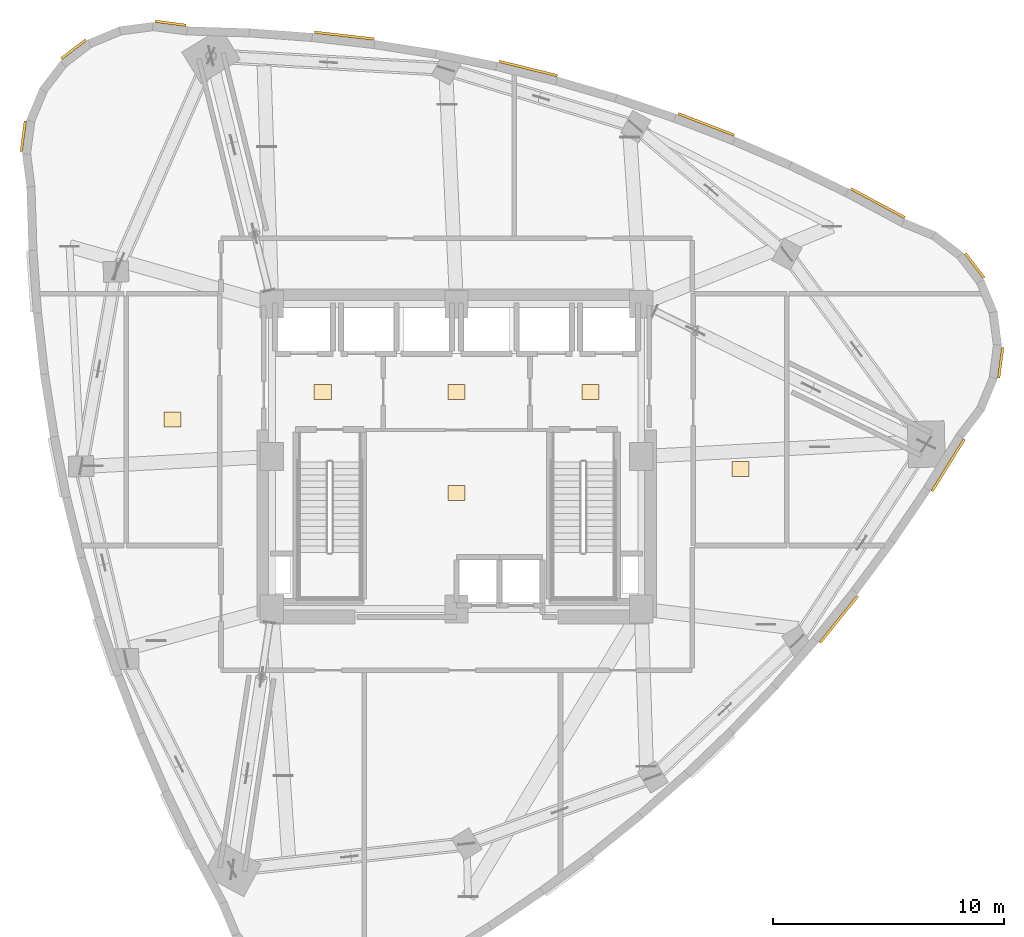
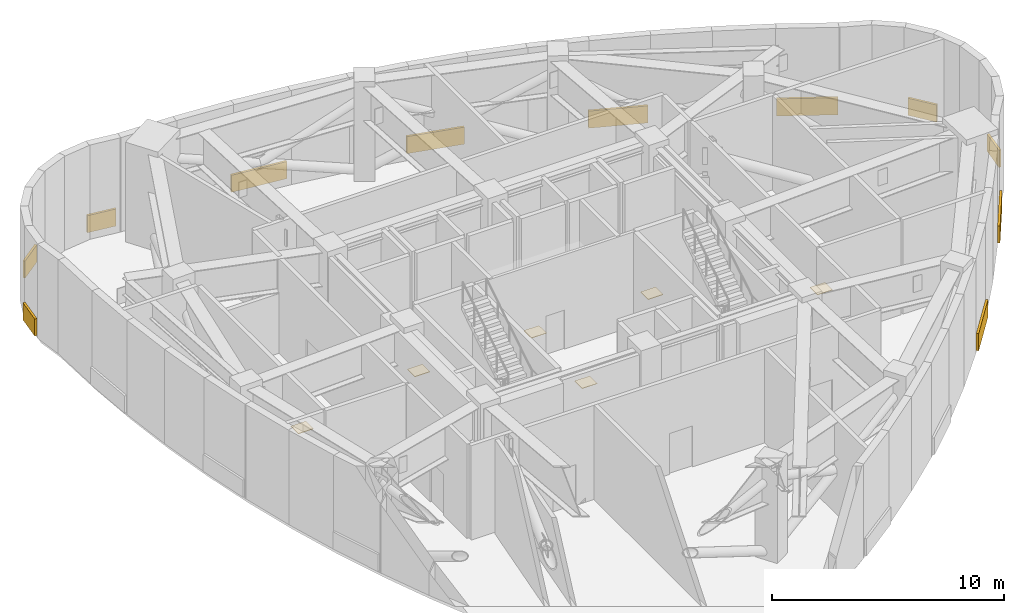
# One storey, part 12 of 12: 17 coverings.
"""IFC4 building model written with IfcOpenShell, lengths in metres."""

from ifc_helpers import new_model, si_unit, direction, frame, origin, origin_2d, place, context, subcontext, project, spatial, rectangle, extrude, material, layer, layer_set, type_object, element, save


model = new_model("IFC4")

# Units and contexts
model_context = context("Model", 3, precision=1e-05, world=origin(), true_north=direction((0.0, 1.0)))
body_context = subcontext(model_context, "Body", "Model", "MODEL_VIEW")
ifc_project = project(units=[si_unit("LENGTHUNIT", "METRE"), si_unit("AREAUNIT", "SQUARE_METRE"), si_unit("VOLUMEUNIT", "CUBIC_METRE"), si_unit("PLANEANGLEUNIT", "RADIAN"), si_unit("MASSUNIT", "GRAM", prefix="KILO")], contexts=[model_context])

# Site, building, storey
site_placement = place(None, origin())
site = spatial("IfcSite", under=ifc_project, at=site_placement, CompositionType="ELEMENT")
building_placement = place(site_placement, origin())
building = spatial("IfcBuilding", under=site, at=building_placement, Name="Ndelora Gate Hotel", CompositionType="ELEMENT")
storey_placement = place(building_placement, frame((0.0, 0.0, 168.5)))
storey = spatial("IfcBuildingStorey", under=building, at=storey_placement, Name="L42", CompositionType="ELEMENT", Elevation=168.5)

# Coverings
ifc_material_1 = material(Name="Terracotta Fired Clay Brick Slip Cladding", Category="masonry")
ifc_layer_1 = layer(ifc_material_1, 0.110107421875)
ifc_layer_set_1 = layer_set([ifc_layer_1], Name="Terracotta Fired Clay Brick Slip Cladding")
covering_type_1 = type_object("IfcCoveringType", Name="COV-CLAD-BRK", PredefinedType="CLADDING", material=ifc_layer_set_1)
for number, where, z_axis, x_axis, name in (
    (1, (-12.3818359375, 18.761962890625, 0.10009765625), (0.0, 0.0, 1.0), (-0.991444861374, 0.13052619222, 0.0), "L42 Rounded-Corner Brick Cladding Band 1"),
    (2, (-16.585693359375, 17.635498046875, 0.10009765625), (0.0, 0.0, 1.0), (0.793353340291, 0.608761429009, 0.0), "L42 Rounded-Corner Brick Cladding Band 4"),
    (3, (-18.761962890625, 13.866455078125, 0.10009765625), (0.0, 0.0, 1.0), (0.13052619222, 0.991444861374, 0.0), "L42 Rounded-Corner Brick Cladding Band 7"),
):
    element("IfcCovering", number, at=place(storey_placement, frame(where, z_axis=z_axis, x_axis=x_axis)), inside=storey, type_object=covering_type_1, Name=name, PredefinedType="CLADDING", context=body_context, shape_type="SweptSolid", body=[
        extrude(rectangle(XDim=1.3359375, YDim=0.110107421875, at=origin_2d()), origin(), (0.0, 0.0, 1.0), 0.89990234375),
    ])
covering_1_placement = place(storey_placement, frame((16.556396484375, -7.0498046875, 0.10009765625), z_axis=(0.0, 0.0, 1.0), x_axis=(0.628370458711, 0.777914241173, 0.0)))
element("IfcCovering", 4, at=covering_1_placement, inside=storey, type_object=covering_type_1, Name="L42 Rounded-Corner Brick Cladding Band 37", PredefinedType="CLADDING", context=body_context, shape_type="SweptSolid", body=[
    extrude(rectangle(XDim=2.593994140625, YDim=0.110107421875, at=origin_2d()), origin(), (0.0, 0.0, 1.0), 0.89990234375),
])
covering_2_placement = place(storey_placement, frame((21.289794921875, -0.377197265625, 0.10009765625), z_axis=(0.0, 0.0, 1.0), x_axis=(0.527549004064, 0.849524601357, 0.0)))
element("IfcCovering", 5, at=covering_2_placement, inside=storey, type_object=covering_type_1, Name="L42 Rounded-Corner Brick Cladding Band 40", PredefinedType="CLADDING", context=body_context, shape_type="SweptSolid", body=[
    extrude(rectangle(XDim=2.65087890625, YDim=0.110107421875, at=origin_2d()), origin(), (0.0, 0.0, 1.0), 0.89990234375),
])
for number, where, z_axis, x_axis, name in (
    (6, (23.565673828125, 4.0615234375, 0.10009765625), (0.0, 0.0, 1.0), (0.13052619222, 0.991444861374, 0.0), "L42 Rounded-Corner Brick Cladding Band 43"),
    (7, (22.439208984375, 8.265380859375, 0.10009765625), (0.0, 0.0, 1.0), (-0.608761429009, 0.793353340291, 0.0), "L42 Rounded-Corner Brick Cladding Band 46"),
):
    element("IfcCovering", number, at=place(storey_placement, frame(where, z_axis=z_axis, x_axis=x_axis)), inside=storey, type_object=covering_type_1, Name=name, PredefinedType="CLADDING", context=body_context, shape_type="SweptSolid", body=[
        extrude(rectangle(XDim=1.3359375, YDim=0.110107421875, at=origin_2d()), origin(), (0.0, 0.0, 1.0), 0.89990234375),
    ])
covering_3_placement = place(storey_placement, frame((18.248779296875, 10.971435546875, 0.10009765625), z_axis=(0.0, 0.0, 1.0), x_axis=(-0.881633139939, 0.471935383883, 0.0)))
element("IfcCovering", 8, at=covering_3_placement, inside=storey, type_object=covering_type_1, Name="L42 Rounded-Corner Brick Cladding Band 49", PredefinedType="CLADDING", context=body_context, shape_type="SweptSolid", body=[
    extrude(rectangle(XDim=2.65087890625, YDim=0.110107421875, at=origin_2d()), origin(), (0.0, 0.0, 1.0), 0.89990234375),
])
covering_4_placement = place(storey_placement, frame((10.813232421875, 14.383544921875, 0.10009765625), z_axis=(0.0, 0.0, 1.0), x_axis=(-0.933141900818, 0.359508265466, 0.0)))
element("IfcCovering", 9, at=covering_4_placement, inside=storey, type_object=covering_type_1, Name="L42 Rounded-Corner Brick Cladding Band 52", PredefinedType="CLADDING", context=body_context, shape_type="SweptSolid", body=[
    extrude(rectangle(XDim=2.593994140625, YDim=0.110107421875, at=origin_2d()), origin(), (0.0, 0.0, 1.0), 0.89990234375),
])
covering_5_placement = place(storey_placement, frame((3.1103515625, 16.802734375, 0.10009765625), z_axis=(0.0, 0.0, 1.0), x_axis=(-0.971217484627, 0.23819445324, 0.0)))
element("IfcCovering", 10, at=covering_5_placement, inside=storey, type_object=covering_type_1, Name="L42 Rounded-Corner Brick Cladding Band 55", PredefinedType="CLADDING", context=body_context, shape_type="SweptSolid", body=[
    extrude(rectangle(XDim=2.580078125, YDim=0.110107421875, at=origin_2d()), origin(), (0.0, 0.0, 1.0), 0.89990234375),
])
covering_6_placement = place(storey_placement, frame((-4.8583984375, 18.227783203125, 0.10009765625), z_axis=(0.0, 0.0, 1.0), x_axis=(-0.993492582803, 0.113896830134, 0.0)))
element("IfcCovering", 11, at=covering_6_placement, inside=storey, type_object=covering_type_1, Name="L42 Rounded-Corner Brick Cladding Band 58", PredefinedType="CLADDING", context=body_context, shape_type="SweptSolid", body=[
    extrude(rectangle(XDim=2.60791015625, YDim=0.110107421875, at=origin_2d()), origin(), (0.0, 0.0, 1.0), 0.89990234375),
])
ifc_material_2 = material(Name="Non-Slip Porcelain Wet-Room Tile", Category="ceramic")
ifc_layer_2 = layer(ifc_material_2, 0.02490234375)
ifc_layer_set_2 = layer_set([ifc_layer_2], Name="Non-Slip Porcelain Wet-Room Tile")
covering_type_2 = type_object("IfcCoveringType", Name="COV-FLR-TILE", PredefinedType="FLOORING", material=ifc_layer_set_2)
for number, where, z_axis, x_axis, name in (
    (12, (-5.800048828125, 2.800048828125, 0.0), (0.0, 0.0, 1.0), (1.0, 0.0, 0.0), "L42 Firefighting Lift Lobby West Porcelain Tile Flooring"),
    (13, (5.800048828125, 2.800048828125, 0.0), (0.0, 0.0, 1.0), (1.0, 0.0, 0.0), "L42 Firefighting Lift Lobby East Porcelain Tile Flooring"),
    (14, (0.0, 2.800048828125, 0.0), (0.0, 0.0, 1.0), (1.0, 0.0, 0.0), "L42 Central Passenger Lift Lobby Porcelain Tile Flooring"),
    (15, (0.0, -1.574951171875, 0.0), (0.0, 0.0, 1.0), (1.0, 0.0, 0.0), "L42 Core Electrical and Linen Service Store Porcelain Tile Flooring"),
    (16, (-12.300048828125, 1.60009765625, 0.0), (0.0, 0.0, 1.0), (1.0, 0.0, 0.0), "L42 Designated Area of Refuge West Porcelain Tile Flooring"),
    (17, (12.300048828125, -0.544677734375, 0.0), (0.0, 0.0, 1.0), (1.0, 0.0, 0.0), "L42 Designated Area of Refuge East Porcelain Tile Flooring"),
):
    element("IfcCovering", number, at=place(storey_placement, frame(where, z_axis=z_axis, x_axis=x_axis)), inside=storey, type_object=covering_type_2, Name=name, PredefinedType="FLOORING", context=body_context, shape_type="SweptSolid", body=[
        extrude(rectangle(XDim=0.75, YDim=0.64990234375, at=origin_2d()), origin(), (0.0, 0.0, 1.0), 0.02490234375),
    ])

save(model, "model.ifc")
